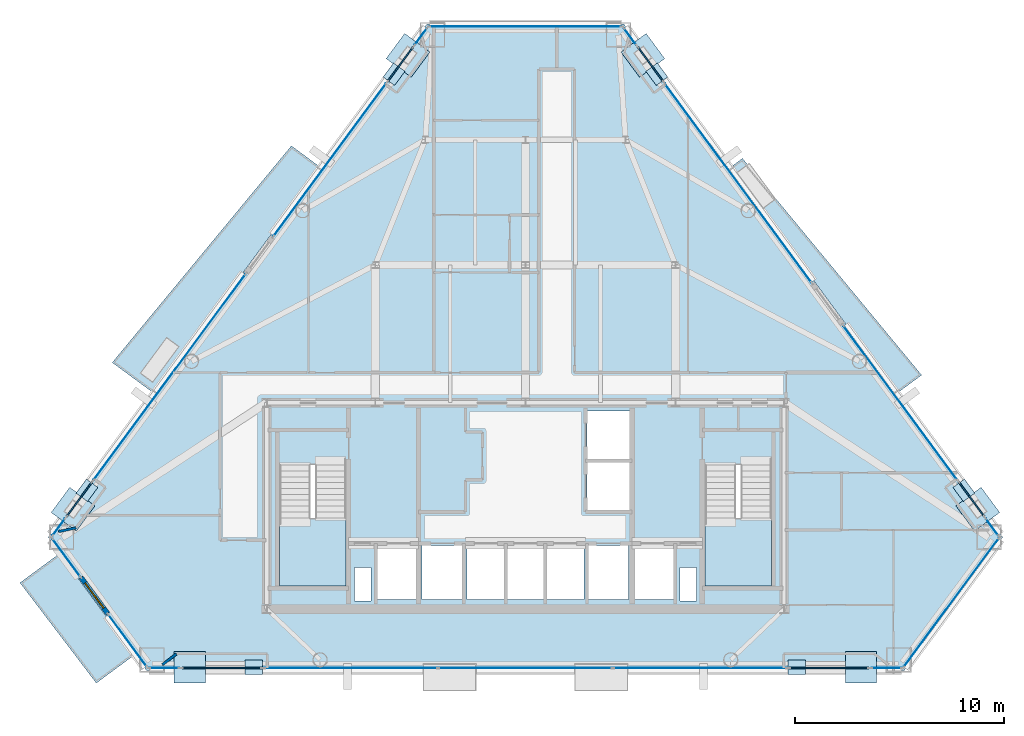
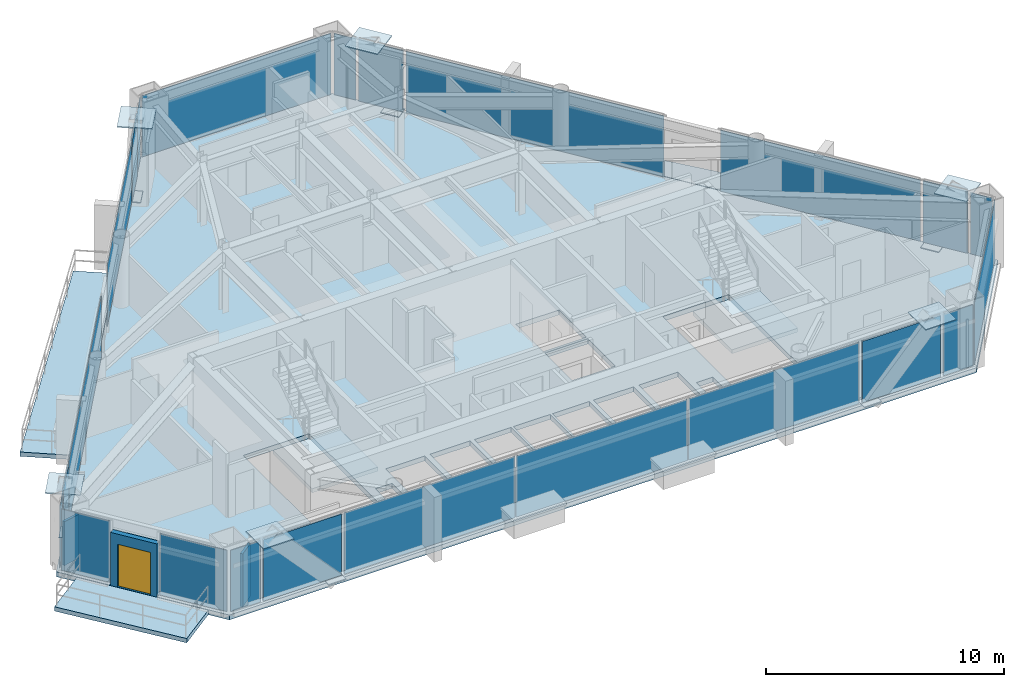
# One storey, part 7 of 12: 35 plates, 6 slabs, 3 walls, 1 door, 1 opening, 23 elements without a shape of their own.
"""IFC4 building model written with IfcOpenShell, lengths in metres."""

import ifcopenshell
import ifcopenshell.guid

model = None  # the IFC model being written
_history = None  # IfcOwnerHistory: only IFC2X3 demands one
_inside = {}  # id of a spatial element -> (the spatial element, [elements in it])
_under = {}  # id of a project, library or spatial element -> (it, [spatial elements below it])
_declared = {}  # id of a project -> (the project, [libraries it declares])
_typed = {}  # id of a type object -> (the type object, [elements of that type])
_made_of = {}  # id of a material, layer set ... -> (it, [elements and type objects made of it])


def new_model(schema):
    """Start an empty IFC model of exactly this schema.

    Asked for "IFC4X3", IfcOpenShell would pick the latest addendum, in which some entities
    have other attributes; the version numbers below select the first issue.
    IFC2X3 requires an IfcOwnerHistory on every rooted entity: one is made here for all.
    """
    global model, _history
    if schema == "IFC4X3":
        model = ifcopenshell.file(schema_version=(4, 3, 0, 0))
    else:
        model = ifcopenshell.file(schema=schema)
    _inside.clear()
    _under.clear()
    _declared.clear()
    _typed.clear()
    _made_of.clear()
    _history = None
    if model.schema == "IFC2X3":
        org = make("IfcOrganization", Name="unknown")
        user = make(
            "IfcPersonAndOrganization",
            ThePerson=make("IfcPerson", FamilyName="unknown"),
            TheOrganization=org,
        )
        app = make(
            "IfcApplication",
            ApplicationDeveloper=org,
            Version="unknown",
            ApplicationFullName="unknown",
            ApplicationIdentifier="unknown",
        )
        _history = make(
            "IfcOwnerHistory",
            OwningUser=user,
            OwningApplication=app,
            ChangeAction="ADDED",
            CreationDate=0,
        )
    return model


def make(cls, **values):
    """One entity of the class cls with the attributes given. An attribute that is None is left unset."""
    return model.create_entity(
        cls, **{name: value for name, value in values.items() if value is not None}
    )


def rooted(cls, **values):
    """An entity with a GlobalId (a new one), such as an element, a storey or a relation."""
    return make(cls, GlobalId=ifcopenshell.guid.new(), OwnerHistory=_history, **values)


def si_unit(unit_type, name, prefix=None):
    """IfcSIUnit, for example si_unit("LENGTHUNIT", "METRE", prefix="MILLI")."""
    return make("IfcSIUnit", UnitType=unit_type, Prefix=prefix, Name=name)


def assignment(units):
    """IfcUnitAssignment: the units of a project."""
    return None if units is None else make("IfcUnitAssignment", Units=units)


def point(xyz):
    """IfcCartesianPoint."""
    return None if xyz is None else make("IfcCartesianPoint", Coordinates=xyz)


def direction(xyz):
    """IfcDirection."""
    return None if xyz is None else make("IfcDirection", DirectionRatios=xyz)


def frame(location, z_axis=None, x_axis=None):
    """IfcAxis2Placement3D, a coordinate frame: its origin and axes. An axis left out is left unset."""
    return make(
        "IfcAxis2Placement3D",
        Location=point(location),
        Axis=direction(z_axis),
        RefDirection=direction(x_axis),
    )


def frame_2d(location, x_axis=None):
    """IfcAxis2Placement2D, a coordinate frame in the plane: its origin and x axis."""
    return make(
        "IfcAxis2Placement2D", Location=point(location), RefDirection=direction(x_axis)
    )


def origin():
    """The frame at (0, 0, 0) with its axes left unset."""
    return frame((0.0, 0.0, 0.0))


def origin_2d():
    """The frame at (0, 0) in the plane with its x axis left unset."""
    return frame_2d((0.0, 0.0))


def place(relative_to, where):
    """IfcLocalPlacement: puts the frame where relative to a parent placement (None: the world)."""
    return make(
        "IfcLocalPlacement", PlacementRelTo=relative_to, RelativePlacement=where
    )


def context(
    kind, dimensions, precision=None, world=None, true_north=None, identifier=None
):
    """IfcGeometricRepresentationContext, for example the 3D "Model" context."""
    return make(
        "IfcGeometricRepresentationContext",
        ContextIdentifier=identifier,
        ContextType=kind,
        CoordinateSpaceDimension=dimensions,
        Precision=precision,
        WorldCoordinateSystem=world,
        TrueNorth=true_north,
    )


def subcontext(parent, identifier, kind, view, scale=None):
    """IfcGeometricRepresentationSubContext, for example "Body" below "Model"."""
    return make(
        "IfcGeometricRepresentationSubContext",
        ContextIdentifier=identifier,
        ContextType=kind,
        ParentContext=parent,
        TargetScale=scale,
        TargetView=view,
    )


def project(units=None, contexts=None):
    """IfcProject with its units and contexts."""
    return rooted(
        "IfcProject",
        Name="project",
        RepresentationContexts=contexts,
        UnitsInContext=assignment(units),
    )


def spatial(cls, under=None, at=None, **own):
    """A site, building, storey or space (cls), placed at a placement, below another one or the project."""
    s = rooted(cls, ObjectPlacement=at, **own)
    if under is not None:
        _under.setdefault(under.id(), (under, []))[1].append(s)
    return s


def polyline(points):
    """IfcPolyline through the points."""
    return make("IfcPolyline", Points=[point(p) for p in points])


def profile(cls, at=None, kind="AREA", **sizes):
    """A parametric profile (cls). Its sizes go by their IFC names, for example OverallWidth=200.0."""
    return make(cls, ProfileType=kind, Position=at, **sizes)


def rectangle(**sizes):
    """IfcRectangleProfileDef."""
    return profile("IfcRectangleProfileDef", **sizes)


def outline(outer, holes=None, kind="AREA"):
    """IfcArbitraryClosedProfileDef: a profile drawn as a closed curve; with holes, ...WithVoids."""
    if holes is None:
        return make("IfcArbitraryClosedProfileDef", ProfileType=kind, OuterCurve=outer)
    return make(
        "IfcArbitraryProfileDefWithVoids",
        ProfileType=kind,
        OuterCurve=outer,
        InnerCurves=holes,
    )


def extrude(swept, where, along, depth):
    """IfcExtrudedAreaSolid: the profile swept, set in the frame where, extruded along a direction by depth."""
    return make(
        "IfcExtrudedAreaSolid",
        SweptArea=swept,
        Position=where,
        ExtrudedDirection=direction(along),
        Depth=depth,
    )


def shape(context_of_items, identifier, shape_type, items):
    """IfcShapeRepresentation: the items that make up one representation, for example the "Body"."""
    return make(
        "IfcShapeRepresentation",
        ContextOfItems=context_of_items,
        RepresentationIdentifier=identifier,
        RepresentationType=shape_type,
        Items=items,
    )


def source(mapping_origin, context_of_items, identifier, shape_type, items):
    """IfcRepresentationMap: a shape defined once, which mapped items show again and again."""
    return make(
        "IfcRepresentationMap",
        MappingOrigin=mapping_origin,
        MappedRepresentation=shape(context_of_items, identifier, shape_type, items),
    )


def transform(
    local_origin,
    x_axis=None,
    y_axis=None,
    z_axis=None,
    scale=None,
    scale2=None,
    scale3=None,
    uniform=True,
):
    """IfcCartesianTransformationOperator3D, or its non-uniform kind. x_axis, y_axis, z_axis: its Axis1, 2, 3."""
    if uniform:
        return make(
            "IfcCartesianTransformationOperator3D",
            Axis1=direction(x_axis),
            Axis2=direction(y_axis),
            LocalOrigin=point(local_origin),
            Scale=scale,
            Axis3=direction(z_axis),
        )
    return make(
        "IfcCartesianTransformationOperator3DnonUniform",
        Axis1=direction(x_axis),
        Axis2=direction(y_axis),
        LocalOrigin=point(local_origin),
        Scale=scale,
        Axis3=direction(z_axis),
        Scale2=scale2,
        Scale3=scale3,
    )


def mapped(mapping_source, mapping_target):
    """IfcMappedItem: shows the shape of a source again, moved by a transform."""
    return make(
        "IfcMappedItem", MappingSource=mapping_source, MappingTarget=mapping_target
    )


def material(Name=None, Category=None):
    """IfcMaterial."""
    return make("IfcMaterial", Name=Name, Category=Category)


def layer(
    of_material, thickness, ventilated=None, Name=None, Category=None, Priority=None
):
    """IfcMaterialLayer: one layer of a wall or slab, of a material (None: an air gap)."""
    return make(
        "IfcMaterialLayer",
        Material=of_material,
        LayerThickness=thickness,
        IsVentilated=ventilated,
        Name=Name,
        Category=Category,
        Priority=Priority,
    )


def layer_set(layers, Name=None):
    """IfcMaterialLayerSet."""
    return make("IfcMaterialLayerSet", MaterialLayers=layers, LayerSetName=Name)


def made_of(thing, what):
    """Note that an element or type object is made of a material, layer set ...; save() writes the relation."""
    if what is not None:
        _made_of.setdefault(what.id(), (what, []))[1].append(thing)
    return thing


def type_object(cls, material=None, **own):
    """A type object (cls), such as IfcWallType, which elements share."""
    return made_of(rooted(cls, **own), material)


def type_shapes(of_type, sources):
    """Give a type object the sources (RepresentationMaps) that its elements show as mapped items."""
    of_type.RepresentationMaps = sources


def element(
    cls,
    number,
    at=None,
    inside=None,
    cuts=None,
    type_object=None,
    material=None,
    context=None,
    identifier="Body",
    shape_type=None,
    held_by="IfcProductDefinitionShape",
    body=None,
    shapes=None,
    **own,
):
    """One element of the class cls, such as IfcWall. Its Tag is "e" and its number.

    at: its placement. inside: the storey or other place that contains it. cuts: it is an
    opening in that element (IfcRelVoidsElement). A single representation is given by context,
    identifier, shape_type and body (its items); several are given by shapes. held_by: the class
    of the entity that holds the representations. save() writes the other relations.
    """
    e = rooted(cls, Tag="e%d" % number, ObjectPlacement=at, **own)
    if body is not None:
        shapes = [shape(context, identifier, shape_type, body)]
    if shapes is not None:
        e.Representation = make(held_by, Representations=shapes)
    if inside is not None:
        _inside.setdefault(inside.id(), (inside, []))[1].append(e)
    if cuts is not None:
        rooted(
            "IfcRelVoidsElement", RelatingBuildingElement=cuts, RelatedOpeningElement=e
        )
    if type_object is not None:
        _typed.setdefault(type_object.id(), (type_object, []))[1].append(e)
    return made_of(e, material)


def fill(opening, filler):
    """IfcRelFillsElement: the door or window that sits in an opening."""
    return rooted(
        "IfcRelFillsElement",
        RelatingOpeningElement=opening,
        RelatedBuildingElement=filler,
    )


def aggregate(whole, parts):
    """IfcRelAggregates: a whole, such as a stair, and the parts it consists of."""
    return rooted("IfcRelAggregates", RelatingObject=whole, RelatedObjects=parts)


def save(model, path):
    """Write the relations noted so far, then the file.

    IfcRelAggregates (storeys below a building ...), IfcRelContainedInSpatialStructure (elements
    in a storey), IfcRelDefinesByType, IfcRelAssociatesMaterial and IfcRelDeclares: one each for
    every whole, place, type object, material and project.
    """
    for whole, parts in _under.values():
        aggregate(whole, parts)
    for where, things in _inside.values():
        rooted(
            "IfcRelContainedInSpatialStructure",
            RelatedElements=things,
            RelatingStructure=where,
        )
    for kind, things in _typed.values():
        rooted("IfcRelDefinesByType", RelatedObjects=things, RelatingType=kind)
    for what, things in _made_of.values():
        rooted("IfcRelAssociatesMaterial", RelatedObjects=things, RelatingMaterial=what)
    for by, libraries in _declared.values():
        rooted("IfcRelDeclares", RelatingContext=by, RelatedDefinitions=libraries)
    model.write(path)


model = new_model("IFC4")

# Units and contexts
model_context = context("Model", 3, precision=1e-05, world=origin(), true_north=direction((0.0, 1.0)))
body_context = subcontext(model_context, "Body", "Model", "MODEL_VIEW")
ifc_project = project(units=[si_unit("LENGTHUNIT", "METRE"), si_unit("AREAUNIT", "SQUARE_METRE"), si_unit("VOLUMEUNIT", "CUBIC_METRE"), si_unit("PLANEANGLEUNIT", "RADIAN"), si_unit("MASSUNIT", "GRAM", prefix="KILO")], contexts=[model_context])

# Site, building, storey
site_placement = place(None, origin())
site = spatial("IfcSite", under=ifc_project, at=site_placement, CompositionType="ELEMENT")
building_placement = place(site_placement, origin())
building = spatial("IfcBuilding", under=site, at=building_placement, Name="Talgorran Terracotta Tower", CompositionType="ELEMENT")
storey_placement = place(building_placement, frame((0.0, 0.0, 165.300048828125)))
storey = spatial("IfcBuildingStorey", under=building, at=storey_placement, Name="L43", CompositionType="ELEMENT", Elevation=165.300048828125)

# Plates
ifc_material_1 = material(Name="Steel Grade 350 (350L0)", Category="steel")
ifc_layer_1 = layer(ifc_material_1, 0.035888671875, Name="PL_CAP_MN06")
ifc_layer_set_1 = layer_set([ifc_layer_1], Name="Steel Grade 350 (350L0)")
plate_type_1 = type_object("IfcPlateType", Name="PL_CAP_MN06", PredefinedType="USERDEFINED", material=ifc_layer_set_1)
for number, where, z_axis, x_axis, name in (
    (1, (-13.017578125, -16.889892578125, -0.0078125), (0.0, 0.0, 1.0), (-1.0, 0.0, 0.0), "L43 Diagonal Frame End Cap SWF Bot"),
    (2, (13.017578125, -16.889892578125, -0.0078125), (0.0, 0.0, 1.0), (1.0, 0.0, 0.0), "L43 Diagonal Frame End Cap SEF Bot"),
    (3, (21.021484375, -8.4052734375, -0.0078125), (0.0, 0.0, 1.0), (0.593840246647, -0.804582973635, 0.0), "L43 Diagonal Frame End Cap NEL Bot"),
    (4, (6.298583984375, 11.54541015625, -0.0078125), (0.0, 0.0, 1.0), (-0.593840246647, 0.804582973635, 0.0), "L43 Diagonal Frame End Cap NEU Bot"),
    (5, (-6.298583984375, 11.54541015625, -0.0078125), (0.0, 0.0, 1.0), (0.593840246647, 0.804582973635, 0.0), "L43 Diagonal Frame End Cap NWU Bot"),
    (6, (-21.021484375, -8.4052734375, -0.0078125), (0.0, 0.0, 1.0), (-0.593840246647, -0.804582973635, 0.0), "L43 Diagonal Frame End Cap NWL Bot"),
):
    element("IfcPlate", number, at=place(storey_placement, frame(where, z_axis=z_axis, x_axis=x_axis)), inside=storey, type_object=plate_type_1, Name=name, ObjectType="CAP PLATE", PredefinedType="USERDEFINED", context=body_context, shape_type="SweptSolid", body=[
        extrude(rectangle(XDim=0.840087890625, YDim=0.679931640625, at=origin_2d()), origin(), (0.0, 0.0, 1.0), 0.035888671875),
    ])
ifc_layer_2 = layer(ifc_material_1, 0.054931640625, Name="PL_NODE_MN02")
ifc_layer_set_2 = layer_set([ifc_layer_2], Name="Steel Grade 350 (350L0)")
plate_type_2 = type_object("IfcPlateType", Name="PL_NODE_MN02", PredefinedType="USERDEFINED", material=ifc_layer_set_2)
for number, where, z_axis, x_axis, name in (
    (7, (-16.09130859375, -16.889892578125, 3.24267578125), (0.0, 0.0, 1.0), (-1.0, 0.0, 0.0), "L43 Diagonal Frame End Cap SWF Top"),
    (8, (16.09130859375, -16.889892578125, 3.24267578125), (0.0, 0.0, 1.0), (1.0, 0.0, 0.0), "L43 Diagonal Frame End Cap SEF Top"),
    (9, (21.689208984375, -9.309814453125, 3.24267578125), (0.0, 0.0, 1.0), (0.593840246647, -0.804582973635, 0.0), "L43 Diagonal Frame End Cap NEL Top"),
    (10, (5.631103515625, 12.449951171875, 3.24267578125), (0.0, 0.0, 1.0), (-0.593840246647, 0.804582973635, 0.0), "L43 Diagonal Frame End Cap NEU Top"),
    (11, (-5.631103515625, 12.449951171875, 3.24267578125), (0.0, 0.0, 1.0), (0.593840246647, 0.804582973635, 0.0), "L43 Diagonal Frame End Cap NWU Top"),
    (12, (-21.689208984375, -9.309814453125, 3.24267578125), (0.0, 0.0, 1.0), (-0.593840246647, -0.804582973635, 0.0), "L43 Diagonal Frame End Cap NWL Top"),
):
    element("IfcPlate", number, at=place(storey_placement, frame(where, z_axis=z_axis, x_axis=x_axis)), inside=storey, type_object=plate_type_2, Name=name, ObjectType="NODE PLATE", PredefinedType="USERDEFINED", context=body_context, shape_type="SweptSolid", body=[
        extrude(rectangle(XDim=1.5, YDim=1.5, at=origin_2d()), origin(), (0.0, 0.0, 1.0), 0.054931640625),
    ])

# Slabs
ifc_material_2 = material(Name="Concrete C40/50", Category="concrete")
ifc_layer_3 = layer(ifc_material_2, 0.219970703125, Name="SL_BALCONY_220")
ifc_layer_set_3 = layer_set([ifc_layer_3], Name="Concrete C40/50")
slab_type_1 = type_object("IfcSlabType", Name="SL_BALCONY_220", PredefinedType="FLOOR", material=ifc_layer_set_3)
slab_1_placement = place(storey_placement, frame((0.0, 0.0, -0.219970703125)))
element("IfcSlab", 13, at=slab_1_placement, inside=storey, type_object=slab_type_1, Name="L43 Outdoor Wave Balcony BAL-NE", PredefinedType="FLOOR", context=body_context, shape_type="SweptSolid", body=[
    extrude(outline(polyline([(9.816650390625, 7.072998046875), (17.8076171875, -3.755126953125), (18.99365234375, -2.879638671875), (10.406982421875, 7.508544921875), (9.816650390625, 7.072998046875)])), origin(), (0.0, 0.0, 1.0), 0.219970703125),
])
slab_2_placement = place(storey_placement, frame((0.0, 0.0, -0.219970703125)))
element("IfcSlab", 14, at=slab_2_placement, inside=storey, type_object=slab_type_1, Name="L43 Outdoor Wave Balcony BAL-NW", PredefinedType="FLOOR", context=body_context, shape_type="SweptSolid", body=[
    extrude(outline(polyline([(-17.8076171875, -3.755126953125), (-9.816650390625, 7.072998046875), (-11.22119140625, 8.109619140625), (-19.80810546875, -2.27880859375), (-17.8076171875, -3.755126953125)])), origin(), (0.0, 0.0, 1.0), 0.219970703125),
])
slab_3_placement = place(storey_placement, frame((0.0, 0.0, -0.219970703125)))
element("IfcSlab", 15, at=slab_3_placement, inside=storey, type_object=slab_type_1, Name="L43 Outdoor Wave Balcony BAL-SW", PredefinedType="FLOOR", context=body_context, shape_type="SweptSolid", body=[
    extrude(outline(polyline([(-18.7392578125, -16.29150390625), (-22.326171875, -11.430908203125), (-24.232666015625, -12.837890625), (-20.57470703125, -17.64599609375), (-18.7392578125, -16.29150390625)])), origin(), (0.0, 0.0, 1.0), 0.219970703125),
])

# Stair, slab
stair_type = type_object("IfcStairType", Name="ST_FIRE_SCISSOR", PredefinedType="HALF_TURN_STAIR", material=ifc_material_2)
stair_1_placement = place(storey_placement, origin())
stair_1 = element("IfcStair", 16, at=stair_1_placement, inside=storey, type_object=stair_type, Name="L43 West Protected Fire Stair ST-01", PredefinedType="HALF_TURN_STAIR")
ifc_layer_4 = layer(ifc_material_2, 0.199951171875, Name="SL_LANDING_200")
ifc_layer_set_4 = layer_set([ifc_layer_4], Name="Concrete C40/50")
slab_type_2 = type_object("IfcSlabType", Name="SL_LANDING_200", PredefinedType="LANDING", material=ifc_layer_set_4)
slab_4_placement = place(storey_placement, frame((0.0, 0.0, 1.599853515625)))
slab_4 = element("IfcSlab", 17, at=slab_4_placement, type_object=slab_type_2, Name="ST-01 landing 1", PredefinedType="LANDING", context=body_context, shape_type="SweptSolid", body=[
    extrude(outline(polyline([(-11.800048828125, -9.719970703125), (-11.800048828125, -13.0), (-8.60009765625, -13.0), (-8.60009765625, -9.719970703125), (-11.800048828125, -9.719970703125)])), origin(), (0.0, 0.0, 1.0), 0.2001953125),
])
aggregate(stair_1, [slab_4])

stair_2_placement = place(storey_placement, origin())
stair_2 = element("IfcStair", 18, at=stair_2_placement, inside=storey, type_object=stair_type, Name="L43 East Protected Fire Stair ST-02", PredefinedType="HALF_TURN_STAIR")
slab_5_placement = place(storey_placement, frame((0.0, 0.0, 1.599853515625)))
slab_5 = element("IfcSlab", 19, at=slab_5_placement, type_object=slab_type_2, Name="ST-02 landing 1", PredefinedType="LANDING", context=body_context, shape_type="SweptSolid", body=[
    extrude(outline(polyline([(8.60009765625, -9.719970703125), (8.60009765625, -13.0), (11.800048828125, -13.0), (11.800048828125, -9.719970703125), (8.60009765625, -9.719970703125)])), origin(), (0.0, 0.0, 1.0), 0.2001953125),
])
aggregate(stair_2, [slab_5])

# Slab
ifc_layer_5 = layer(ifc_material_2, 0.25, Name="SL_TOWER_250")
ifc_layer_set_5 = layer_set([ifc_layer_5], Name="Concrete C40/50")
slab_type_3 = type_object("IfcSlabType", Name="SL_TOWER_250", PredefinedType="FLOOR", material=ifc_layer_set_5)
slab_6_placement = place(storey_placement, frame((0.0, 0.0, -0.25)))
element("IfcSlab", 20, at=slab_6_placement, inside=storey, type_object=slab_type_3, Name="Storey L43 Structural Floor Slab", PredefinedType="FLOOR", context=body_context, shape_type="SweptSolid", body=[
    extrude(outline(polyline([(-22.88037109375, -10.654541015625), (-18.160888671875, -17.050048828125), (18.160888671875, -17.050048828125), (22.88037109375, -10.654541015625), (4.719482421875, 13.95458984375), (-4.719482421875, 13.95458984375), (-22.88037109375, -10.654541015625)]), holes=[polyline([(-11.800048828125, -7.199951171875), (-11.800048828125, -13.0), (-8.60009765625, -13.0), (-8.60009765625, -7.199951171875), (-11.800048828125, -7.199951171875)]), polyline([(8.60009765625, -7.199951171875), (8.60009765625, -13.0), (11.800048828125, -13.0), (11.800048828125, -7.199951171875), (8.60009765625, -7.199951171875)]), polyline([(-7.10009765625, -13.64990234375), (-5.199951171875, -13.64990234375), (-5.199951171875, -11.050048828125), (-7.10009765625, -11.050048828125), (-7.10009765625, -13.64990234375)]), polyline([(5.199951171875, -13.64990234375), (7.10009765625, -13.64990234375), (7.10009765625, -11.050048828125), (5.199951171875, -11.050048828125), (5.199951171875, -13.64990234375)]), polyline([(3.0, -13.64990234375), (4.949951171875, -13.64990234375), (4.949951171875, -11.050048828125), (3.0, -11.050048828125), (3.0, -13.64990234375)]), polyline([(-4.949951171875, -13.64990234375), (-3.0, -13.64990234375), (-3.0, -11.050048828125), (-4.949951171875, -11.050048828125), (-4.949951171875, -13.64990234375)]), polyline([(2.949951171875, -9.35009765625), (5.050048828125, -9.35009765625), (5.050048828125, -7.050048828125), (2.949951171875, -7.050048828125), (2.949951171875, -9.35009765625)]), polyline([(2.949951171875, -6.89990234375), (5.050048828125, -6.89990234375), (5.050048828125, -4.60009765625), (2.949951171875, -4.60009765625), (2.949951171875, -6.89990234375)]), polyline([(-2.800048828125, -13.64990234375), (-1.0, -13.64990234375), (-1.0, -11.050048828125), (-2.800048828125, -11.050048828125), (-2.800048828125, -13.64990234375)]), polyline([(-0.89990234375, -13.64990234375), (0.89990234375, -13.64990234375), (0.89990234375, -11.050048828125), (-0.89990234375, -11.050048828125), (-0.89990234375, -13.64990234375)]), polyline([(1.0, -13.64990234375), (2.800048828125, -13.64990234375), (2.800048828125, -11.050048828125), (1.0, -11.050048828125), (1.0, -13.64990234375)]), polyline([(-8.199951171875, -13.699951171875), (-7.39990234375, -13.699951171875), (-7.39990234375, -12.10009765625), (-8.199951171875, -12.10009765625), (-8.199951171875, -13.699951171875)]), polyline([(7.39990234375, -13.699951171875), (8.199951171875, -13.699951171875), (8.199951171875, -12.10009765625), (7.39990234375, -12.10009765625), (7.39990234375, -13.699951171875)])]), origin(), (0.0, 0.0, 1.0), 0.25),
])

# Curtain wall, plate
ifc_material_3 = material(Name="Unitised Low-E Double Glazing", Category="glass")
ifc_layer_6 = layer(ifc_material_3, 0.199951171875, Name="CW_SYS2_RES_LOW")
ifc_layer_set_6 = layer_set([ifc_layer_6], Name="Unitised Low-E Double Glazing")
curtain_wall_type = type_object("IfcCurtainWallType", Name="CW_SYS2_RES_LOW", PredefinedType="NOTDEFINED", material=ifc_layer_set_6)
curtain_wall_1_placement = place(storey_placement, origin())
curtain_wall_1 = element("IfcCurtainWall", 21, at=curtain_wall_1_placement, inside=storey, type_object=curtain_wall_type, Name="CW-L43-F10", PredefinedType="NOTDEFINED")
ifc_material_4 = material(Name="Low-E Laminated Vision Glass", Category="glass")
ifc_layer_7 = layer(ifc_material_4, 0.028076171875, Name="PLT_VISION_28")
ifc_layer_set_7 = layer_set([ifc_layer_7], Name="Low-E Laminated Vision Glass")
plate_type_3 = type_object("IfcPlateType", Name="PLT_VISION_28", PredefinedType="CURTAIN_PANEL", material=ifc_layer_set_7)
shared_shape_1 = source(origin(), body_context, "Body", "SweptSolid", [
    extrude(rectangle(XDim=2.224609375, YDim=0.028076171875, at=origin_2d()), origin(), (0.0, 0.0, 1.0), 3.14990234375),
])
plate_1_placement = place(storey_placement, frame((-22.008544921875, -11.634033203125, 0.06494140625), z_axis=(0.0, 0.0, 1.0), x_axis=(0.593791416997, -0.804619011148, 0.0)))
plate_1 = element("IfcPlate", 22, at=plate_1_placement, type_object=plate_type_3, Name="CW-L43-10 panel 1.1", PredefinedType="CURTAIN_PANEL", context=body_context, shape_type="MappedRepresentation", body=[
    mapped(shared_shape_1, transform((0.0, 0.0, 0.0), scale=1.0)),
])
aggregate(curtain_wall_1, [plate_1])

curtain_wall_2_placement = place(storey_placement, origin())
curtain_wall_2 = element("IfcCurtainWall", 23, at=curtain_wall_2_placement, inside=storey, type_object=curtain_wall_type, Name="CW-L43-F11", PredefinedType="NOTDEFINED")
shared_shape_2 = source(origin(), body_context, "Body", "SweptSolid", [
    extrude(rectangle(XDim=3.074462890625, YDim=0.028076171875, at=origin_2d()), origin(), (0.0, 0.0, 1.0), 3.14990234375),
])
plate_2_placement = place(storey_placement, frame((-19.075439453125, -15.608642578125, 0.06494140625), z_axis=(0.0, 0.0, 1.0), x_axis=(0.593775820957, -0.804630520455, 0.0)))
plate_2 = element("IfcPlate", 24, at=plate_2_placement, type_object=plate_type_3, Name="CW-L43-11 panel 1.1", PredefinedType="CURTAIN_PANEL", context=body_context, shape_type="MappedRepresentation", body=[
    mapped(shared_shape_2, transform((0.0, 0.0, 0.0), scale=1.0)),
])
aggregate(curtain_wall_2, [plate_2])

curtain_wall_3_placement = place(storey_placement, origin())
curtain_wall_3 = element("IfcCurtainWall", 25, at=curtain_wall_3_placement, inside=storey, type_object=curtain_wall_type, Name="CW-L43-F1", PredefinedType="NOTDEFINED")
shared_shape_3 = source(origin(), body_context, "Body", "SweptSolid", [
    extrude(rectangle(XDim=1.4375, YDim=0.028076171875, at=origin_2d()), origin(), (0.0, 0.0, 1.0), 3.14990234375),
])
plate_3_placement = place(storey_placement, frame((-17.31640625, -16.929931640625, 0.06494140625), z_axis=(0.0, 0.0, 1.0), x_axis=(1.0, 0.0, 0.0)))
plate_3 = element("IfcPlate", 26, at=plate_3_placement, type_object=plate_type_3, Name="CW-L43-1 panel 1.1", PredefinedType="CURTAIN_PANEL", context=body_context, shape_type="MappedRepresentation", body=[
    mapped(shared_shape_3, transform((0.0, 0.0, 0.0), scale=1.0)),
])
aggregate(curtain_wall_3, [plate_3])

curtain_wall_4_placement = place(storey_placement, origin())
curtain_wall_4 = element("IfcCurtainWall", 27, at=curtain_wall_4_placement, inside=storey, type_object=curtain_wall_type, Name="CW-L43-F1E", PredefinedType="NOTDEFINED")
plate_4_placement = place(storey_placement, frame((17.31640625, -16.929931640625, 0.06494140625), z_axis=(0.0, 0.0, 1.0), x_axis=(1.0, 0.0, 0.0)))
plate_4 = element("IfcPlate", 28, at=plate_4_placement, type_object=plate_type_3, Name="CW-L43-1E panel 1.1", PredefinedType="CURTAIN_PANEL", context=body_context, shape_type="MappedRepresentation", body=[
    mapped(shared_shape_3, transform((0.0, 0.0, 0.0), scale=1.0)),
])
aggregate(curtain_wall_4, [plate_4])

curtain_wall_5_placement = place(storey_placement, origin())
curtain_wall_5 = element("IfcCurtainWall", 29, at=curtain_wall_5_placement, inside=storey, type_object=curtain_wall_type, Name="CW-L43-F1B", PredefinedType="NOTDEFINED")
ifc_material_5 = material(Name="Terracotta Insulated Spandrel", Category="masonry")
ifc_layer_8 = layer(ifc_material_5, 0.06494140625, Name="PLT_SPANDREL_TERRA")
ifc_layer_set_8 = layer_set([ifc_layer_8], Name="Terracotta Insulated Spandrel")
plate_type_4 = type_object("IfcPlateType", Name="PLT_SPANDREL_TERRA", PredefinedType="SHEET", material=ifc_layer_set_8)
shared_shape_4 = source(origin(), body_context, "Body", "SweptSolid", [
    extrude(rectangle(XDim=3.806884765625, YDim=0.06494140625, at=origin_2d()), origin(), (0.0, 0.0, 1.0), 3.14990234375),
])
plate_5_placement = place(storey_placement, frame((-14.554443359375, -16.929931640625, 0.06494140625), z_axis=(0.0, 0.0, 1.0), x_axis=(1.0, 0.0, 0.0)))
plate_5 = element("IfcPlate", 30, at=plate_5_placement, type_object=plate_type_4, Name="CW-L43-1B panel 1.1", PredefinedType="CURTAIN_PANEL", context=body_context, shape_type="MappedRepresentation", body=[
    mapped(shared_shape_4, transform((0.0, 0.0, 0.0), scale=1.0)),
])
aggregate(curtain_wall_5, [plate_5])

curtain_wall_6_placement = place(storey_placement, origin())
curtain_wall_6 = element("IfcCurtainWall", 31, at=curtain_wall_6_placement, inside=storey, type_object=curtain_wall_type, Name="CW-L43-F1D", PredefinedType="NOTDEFINED")
plate_6_placement = place(storey_placement, frame((14.554443359375, -16.929931640625, 0.06494140625), z_axis=(0.0, 0.0, 1.0), x_axis=(1.0, 0.0, 0.0)))
plate_6 = element("IfcPlate", 32, at=plate_6_placement, type_object=plate_type_4, Name="CW-L43-1D panel 1.1", PredefinedType="CURTAIN_PANEL", context=body_context, shape_type="MappedRepresentation", body=[
    mapped(shared_shape_4, transform((0.0, 0.0, 0.0), scale=1.0)),
])
aggregate(curtain_wall_6, [plate_6])

# Curtain wall, plates
curtain_wall_7_placement = place(storey_placement, origin())
curtain_wall_7 = element("IfcCurtainWall", 33, at=curtain_wall_7_placement, inside=storey, type_object=curtain_wall_type, Name="CW-L43-F1C", PredefinedType="NOTDEFINED")
shared_shape_5 = source(origin(), body_context, "Body", "SweptSolid", [
    extrude(rectangle(XDim=8.28662109375, YDim=0.028076171875, at=origin_2d()), origin(), (0.0, 0.0, 1.0), 3.14990234375),
])
plate_7_placement = place(storey_placement, frame((-8.36767578125, -16.929931640625, 0.06494140625), z_axis=(0.0, 0.0, 1.0), x_axis=(1.0, 0.0, 0.0)))
plate_7 = element("IfcPlate", 34, at=plate_7_placement, type_object=plate_type_3, Name="CW-L43-1C panel 1.1", PredefinedType="CURTAIN_PANEL", context=body_context, shape_type="MappedRepresentation", body=[
    mapped(shared_shape_5, transform((0.0, 0.0, 0.0), scale=1.0)),
])
plate_8_placement = place(storey_placement, frame((8.36767578125, -16.929931640625, 0.06494140625), z_axis=(0.0, 0.0, 1.0), x_axis=(1.0, 0.0, 0.0)))
plate_8 = element("IfcPlate", 35, at=plate_8_placement, type_object=plate_type_3, Name="CW-L43-1C panel 3.1", PredefinedType="CURTAIN_PANEL", context=body_context, shape_type="MappedRepresentation", body=[
    mapped(shared_shape_5, transform((0.0, 0.0, 0.0), scale=1.0)),
])
shared_shape_6 = source(origin(), body_context, "Body", "SweptSolid", [
    extrude(rectangle(XDim=8.319091796875, YDim=0.028076171875, at=origin_2d()), origin(), (0.0, 0.0, 1.0), 3.14990234375),
])
plate_9_placement = place(storey_placement, frame((0.0, -16.929931640625, 0.06494140625), z_axis=(0.0, 0.0, 1.0), x_axis=(1.0, 0.0, 0.0)))
plate_9 = element("IfcPlate", 36, at=plate_9_placement, type_object=plate_type_3, Name="CW-L43-1C panel 2.1", PredefinedType="CURTAIN_PANEL", context=body_context, shape_type="MappedRepresentation", body=[
    mapped(shared_shape_6, transform((0.0, 0.0, 0.0), scale=1.0)),
])
aggregate(curtain_wall_7, [plate_7, plate_9, plate_8])

# Curtain wall, plate
curtain_wall_8_placement = place(storey_placement, origin())
curtain_wall_8 = element("IfcCurtainWall", 37, at=curtain_wall_8_placement, inside=storey, type_object=curtain_wall_type, Name="CW-L43-F2", PredefinedType="NOTDEFINED")
shared_shape_7 = source(origin(), body_context, "Body", "SweptSolid", [
    extrude(rectangle(XDim=7.669189453125, YDim=0.028076171875, at=origin_2d()), origin(), (0.0, 0.0, 1.0), 3.14990234375),
])
plate_10_placement = place(storey_placement, frame((20.415771484375, -13.792236328125, 0.06494140625), z_axis=(0.0, 0.0, 1.0), x_axis=(0.593790637498, 0.804619586401, 0.0)))
plate_10 = element("IfcPlate", 38, at=plate_10_placement, type_object=plate_type_3, Name="CW-L43-2 panel 1.1", PredefinedType="CURTAIN_PANEL", context=body_context, shape_type="MappedRepresentation", body=[
    mapped(shared_shape_7, transform((0.0, 0.0, 0.0), scale=1.0)),
])
aggregate(curtain_wall_8, [plate_10])

curtain_wall_9_placement = place(storey_placement, origin())
curtain_wall_9 = element("IfcCurtainWall", 39, at=curtain_wall_9_placement, inside=storey, type_object=curtain_wall_type, Name="CW-L43-F40", PredefinedType="NOTDEFINED")
shared_shape_8 = source(origin(), body_context, "Body", "SweptSolid", [
    extrude(rectangle(XDim=1.006103515625, YDim=0.028076171875, at=origin_2d()), origin(), (0.0, 0.0, 1.0), 3.14990234375),
])
plate_11_placement = place(storey_placement, frame((22.3701171875, -10.165283203125, 0.06494140625), z_axis=(0.0, 0.0, 1.0), x_axis=(-0.593814313912, 0.804602113217, 0.0)))
plate_11 = element("IfcPlate", 40, at=plate_11_placement, type_object=plate_type_3, Name="CW-L43-40 panel 1.1", PredefinedType="CURTAIN_PANEL", context=body_context, shape_type="MappedRepresentation", body=[
    mapped(shared_shape_8, transform((0.0, 0.0, 0.0), scale=1.0)),
])
aggregate(curtain_wall_9, [plate_11])

curtain_wall_10_placement = place(storey_placement, origin())
curtain_wall_10 = element("IfcCurtainWall", 41, at=curtain_wall_10_placement, inside=storey, type_object=curtain_wall_type, Name="CW-L43-F61C", PredefinedType="NOTDEFINED")
plate_12_placement = place(storey_placement, frame((-22.3701171875, -10.165283203125, 0.06494140625), z_axis=(0.0, 0.0, 1.0), x_axis=(-0.593814313912, -0.804602113217, 0.0)))
plate_12 = element("IfcPlate", 42, at=plate_12_placement, type_object=plate_type_3, Name="CW-L43-61C panel 1.1", PredefinedType="CURTAIN_PANEL", context=body_context, shape_type="MappedRepresentation", body=[
    mapped(shared_shape_8, transform((0.0, 0.0, 0.0), scale=1.0)),
])
aggregate(curtain_wall_10, [plate_12])

curtain_wall_11_placement = place(storey_placement, origin())
curtain_wall_11 = element("IfcCurtainWall", 43, at=curtain_wall_11_placement, inside=storey, type_object=curtain_wall_type, Name="CW-L43-F40B", PredefinedType="NOTDEFINED")
shared_shape_9 = source(origin(), body_context, "Body", "SweptSolid", [
    extrude(rectangle(XDim=2.023193359375, YDim=0.06494140625, at=origin_2d()), origin(), (0.0, 0.0, 1.0), 3.14990234375),
])
type_shapes(plate_type_4, [shared_shape_4, shared_shape_9])
plate_13_placement = place(storey_placement, frame((21.3876953125, -8.833740234375, 0.06494140625), z_axis=(0.0, 0.0, 1.0), x_axis=(-0.593785011781, 0.804623738019, 0.0)))
plate_13 = element("IfcPlate", 44, at=plate_13_placement, type_object=plate_type_4, Name="CW-L43-40B panel 1.1", PredefinedType="CURTAIN_PANEL", context=body_context, shape_type="MappedRepresentation", body=[
    mapped(shared_shape_9, transform((0.0, 0.0, 0.0), scale=1.0)),
])
aggregate(curtain_wall_11, [plate_13])

curtain_wall_12_placement = place(storey_placement, origin())
curtain_wall_12 = element("IfcCurtainWall", 45, at=curtain_wall_12_placement, inside=storey, type_object=curtain_wall_type, Name="CW-L43-F41B", PredefinedType="NOTDEFINED")
plate_14_placement = place(storey_placement, frame((5.9970703125, 12.021484375, 0.06494140625), z_axis=(0.0, 0.0, 1.0), x_axis=(-0.593785011781, 0.804623738019, 0.0)))
plate_14 = element("IfcPlate", 46, at=plate_14_placement, type_object=plate_type_4, Name="CW-L43-41B panel 1.1", PredefinedType="CURTAIN_PANEL", context=body_context, shape_type="MappedRepresentation", body=[
    mapped(shared_shape_9, transform((0.0, 0.0, 0.0), scale=1.0)),
])
aggregate(curtain_wall_12, [plate_14])

curtain_wall_13_placement = place(storey_placement, origin())
curtain_wall_13 = element("IfcCurtainWall", 47, at=curtain_wall_13_placement, inside=storey, type_object=curtain_wall_type, Name="CW-L43-F60B", PredefinedType="NOTDEFINED")
plate_15_placement = place(storey_placement, frame((-5.9970703125, 12.021484375, 0.06494140625), z_axis=(0.0, 0.0, 1.0), x_axis=(-0.593785011781, -0.804623738019, 0.0)))
plate_15 = element("IfcPlate", 48, at=plate_15_placement, type_object=plate_type_4, Name="CW-L43-60B panel 1.1", PredefinedType="CURTAIN_PANEL", context=body_context, shape_type="MappedRepresentation", body=[
    mapped(shared_shape_9, transform((0.0, 0.0, 0.0), scale=1.0)),
])
aggregate(curtain_wall_13, [plate_15])

curtain_wall_14_placement = place(storey_placement, origin())
curtain_wall_14 = element("IfcCurtainWall", 49, at=curtain_wall_14_placement, inside=storey, type_object=curtain_wall_type, Name="CW-L43-F61B", PredefinedType="NOTDEFINED")
plate_16_placement = place(storey_placement, frame((-21.3876953125, -8.833740234375, 0.06494140625), z_axis=(0.0, 0.0, 1.0), x_axis=(-0.593785011781, -0.804623738019, 0.0)))
plate_16 = element("IfcPlate", 50, at=plate_16_placement, type_object=plate_type_4, Name="CW-L43-61B panel 1.1", PredefinedType="CURTAIN_PANEL", context=body_context, shape_type="MappedRepresentation", body=[
    mapped(shared_shape_9, transform((0.0, 0.0, 0.0), scale=1.0)),
])
aggregate(curtain_wall_14, [plate_16])

curtain_wall_15_placement = place(storey_placement, origin())
curtain_wall_15 = element("IfcCurtainWall", 51, at=curtain_wall_15_placement, inside=storey, type_object=curtain_wall_type, Name="CW-L43-F40C", PredefinedType="NOTDEFINED")
shared_shape_10 = source(origin(), body_context, "Body", "SweptSolid", [
    extrude(rectangle(XDim=9.179443359375, YDim=0.028076171875, at=origin_2d()), origin(), (0.0, 0.0, 1.0), 3.14990234375),
])
plate_17_placement = place(storey_placement, frame((17.978515625, -4.214111328125, 0.06494140625), z_axis=(0.0, 0.0, 1.0), x_axis=(-0.593791368899, 0.804619046643, 0.0)))
plate_17 = element("IfcPlate", 52, at=plate_17_placement, type_object=plate_type_3, Name="CW-L43-40C panel 1.1", PredefinedType="CURTAIN_PANEL", context=body_context, shape_type="MappedRepresentation", body=[
    mapped(shared_shape_10, transform((0.0, 0.0, 0.0), scale=1.0)),
])
aggregate(curtain_wall_15, [plate_17])

curtain_wall_16_placement = place(storey_placement, origin())
curtain_wall_16 = element("IfcCurtainWall", 53, at=curtain_wall_16_placement, inside=storey, type_object=curtain_wall_type, Name="CW-L43-F41", PredefinedType="NOTDEFINED")
shared_shape_11 = source(origin(), body_context, "Body", "SweptSolid", [
    extrude(rectangle(XDim=11.846435546875, YDim=0.028076171875, at=origin_2d()), origin(), (0.0, 0.0, 1.0), 3.14990234375),
])
plate_18_placement = place(storey_placement, frame((10.197998046875, 6.328857421875, 0.06494140625), z_axis=(0.0, 0.0, 1.0), x_axis=(-0.593784473262, 0.804624135428, 0.0)))
plate_18 = element("IfcPlate", 54, at=plate_18_placement, type_object=plate_type_3, Name="CW-L43-41 panel 1.1", PredefinedType="CURTAIN_PANEL", context=body_context, shape_type="MappedRepresentation", body=[
    mapped(shared_shape_11, transform((0.0, 0.0, 0.0), scale=1.0)),
])
aggregate(curtain_wall_16, [plate_18])

curtain_wall_17_placement = place(storey_placement, origin())
curtain_wall_17 = element("IfcCurtainWall", 55, at=curtain_wall_17_placement, inside=storey, type_object=curtain_wall_type, Name="CW-L43-F41C", PredefinedType="NOTDEFINED")
shared_shape_12 = source(origin(), body_context, "Body", "SweptSolid", [
    extrude(rectangle(XDim=0.996826171875, YDim=0.028076171875, at=origin_2d()), origin(), (0.0, 0.0, 1.0), 3.14990234375),
])
plate_19_placement = place(storey_placement, frame((5.017333984375, 13.34912109375, 0.06494140625), z_axis=(0.0, 0.0, 1.0), x_axis=(-0.593777066526, 0.804629601287, 0.0)))
plate_19 = element("IfcPlate", 56, at=plate_19_placement, type_object=plate_type_3, Name="CW-L43-41C panel 1.1", PredefinedType="CURTAIN_PANEL", context=body_context, shape_type="MappedRepresentation", body=[
    mapped(shared_shape_12, transform((0.0, 0.0, 0.0), scale=1.0)),
])
aggregate(curtain_wall_17, [plate_19])

curtain_wall_18_placement = place(storey_placement, origin())
curtain_wall_18 = element("IfcCurtainWall", 57, at=curtain_wall_18_placement, inside=storey, type_object=curtain_wall_type, Name="CW-L43-F60", PredefinedType="NOTDEFINED")
plate_20_placement = place(storey_placement, frame((-5.017333984375, 13.34912109375, 0.06494140625), z_axis=(0.0, 0.0, 1.0), x_axis=(-0.593777066526, -0.804629601287, 0.0)))
plate_20 = element("IfcPlate", 58, at=plate_20_placement, type_object=plate_type_3, Name="CW-L43-60 panel 1.1", PredefinedType="CURTAIN_PANEL", context=body_context, shape_type="MappedRepresentation", body=[
    mapped(shared_shape_12, transform((0.0, 0.0, 0.0), scale=1.0)),
])
aggregate(curtain_wall_18, [plate_20])

curtain_wall_19_placement = place(storey_placement, origin())
curtain_wall_19 = element("IfcCurtainWall", 59, at=curtain_wall_19_placement, inside=storey, type_object=curtain_wall_type, Name="CW-L43-F4", PredefinedType="NOTDEFINED")
shared_shape_13 = source(origin(), body_context, "Body", "SweptSolid", [
    extrude(rectangle(XDim=9.18798828125, YDim=0.028076171875, at=origin_2d()), origin(), (0.0, 0.0, 1.0), 3.14990234375),
])
plate_21_placement = place(storey_placement, frame((0.0, 13.834716796875, 0.06494140625), z_axis=(0.0, 0.0, 1.0), x_axis=(-1.0, 0.0, 0.0)))
plate_21 = element("IfcPlate", 60, at=plate_21_placement, type_object=plate_type_3, Name="CW-L43-4 panel 1.1", PredefinedType="CURTAIN_PANEL", context=body_context, shape_type="MappedRepresentation", body=[
    mapped(shared_shape_13, transform((0.0, 0.0, 0.0), scale=1.0)),
])
aggregate(curtain_wall_19, [plate_21])

curtain_wall_20_placement = place(storey_placement, origin())
curtain_wall_20 = element("IfcCurtainWall", 61, at=curtain_wall_20_placement, inside=storey, type_object=curtain_wall_type, Name="CW-L43-F60C", PredefinedType="NOTDEFINED")
shared_shape_14 = source(origin(), body_context, "Body", "SweptSolid", [
    extrude(rectangle(XDim=9.076416015625, YDim=0.028076171875, at=origin_2d()), origin(), (0.0, 0.0, 1.0), 3.14990234375),
])
plate_22_placement = place(storey_placement, frame((-9.375732421875, 7.443115234375, 0.06494140625), z_axis=(0.0, 0.0, 1.0), x_axis=(-0.593784660305, -0.804623997397, 0.0)))
plate_22 = element("IfcPlate", 62, at=plate_22_placement, type_object=plate_type_3, Name="CW-L43-60C panel 1.1", PredefinedType="CURTAIN_PANEL", context=body_context, shape_type="MappedRepresentation", body=[
    mapped(shared_shape_14, transform((0.0, 0.0, 0.0), scale=1.0)),
])
aggregate(curtain_wall_20, [plate_22])

curtain_wall_21_placement = place(storey_placement, origin())
curtain_wall_21 = element("IfcCurtainWall", 63, at=curtain_wall_21_placement, inside=storey, type_object=curtain_wall_type, Name="CW-L43-F61", PredefinedType="NOTDEFINED")
shared_shape_15 = source(origin(), body_context, "Body", "SweptSolid", [
    extrude(rectangle(XDim=12.24951171875, YDim=0.028076171875, at=origin_2d()), origin(), (0.0, 0.0, 1.0), 3.14990234375),
])
type_shapes(plate_type_3, [shared_shape_1, shared_shape_2, shared_shape_3, shared_shape_5, shared_shape_6, shared_shape_7, shared_shape_8, shared_shape_10, shared_shape_11, shared_shape_12, shared_shape_13, shared_shape_14, shared_shape_15])
plate_23_placement = place(storey_placement, frame((-17.06689453125, -2.97900390625, 0.06494140625), z_axis=(0.0, 0.0, 1.0), x_axis=(-0.593788549418, -0.804621127351, 0.0)))
plate_23 = element("IfcPlate", 64, at=plate_23_placement, type_object=plate_type_3, Name="CW-L43-61 panel 1.1", PredefinedType="CURTAIN_PANEL", context=body_context, shape_type="MappedRepresentation", body=[
    mapped(shared_shape_15, transform((0.0, 0.0, 0.0), scale=1.0)),
])
aggregate(curtain_wall_21, [plate_23])

# Wall, opening, door
ifc_layer_9 = layer(ifc_material_2, 0.239990234375, Name="WT_BALCONY_SPAND")
ifc_layer_set_9 = layer_set([ifc_layer_9], Name="Concrete C40/50")
wall_type_1 = type_object("IfcWallType", Name="WT_BALCONY_SPAND", PredefinedType="STANDARD", material=ifc_layer_set_9)
wall_1_placement = place(storey_placement, frame((-21.303466796875, -12.58935546875, -0.01513671875), z_axis=(0.0, 0.0, 1.0), x_axis=(0.593794270714, -0.804616905158, 0.0)))
wall_1 = element("IfcWall", 65, at=wall_1_placement, inside=storey, type_object=wall_type_1, Name="WL-L43-BALP-BAL-SW", PredefinedType="STANDARD", context=body_context, shape_type="SweptSolid", body=[
    extrude(rectangle(XDim=2.14013671875, YDim=0.239990234375, at=frame_2d((1.070068359375, 0.0))), origin(), (0.0, 0.0, 1.0), 2.737060546875),
])
opening_placement = place(wall_1_placement, frame((0.320068359375, 0.0, 0.014892578125)))
opening = element("IfcOpeningElement", 66, at=opening_placement, cuts=wall_1, Name="Opening D-BAL-L43-3", PredefinedType="OPENING", context=body_context, shape_type="SweptSolid", body=[
    extrude(rectangle(XDim=1.506, YDim=2.203951171875, at=frame_2d((0.75, 1.10205078125))), frame((0.0, 0.1298828125, 0.0), z_axis=(0.0, -1.0, 0.0), x_axis=(1.0, 0.0, 0.0)), (0.0, 0.0, 1.0), 0.260009765625),
])
ifc_material_6 = material(Name="Thermally Broken Aluminium", Category="aluminium")
door_type = type_object("IfcDoorType", Name="DT_BALC_1500", OperationType="SLIDING_TO_RIGHT", PredefinedType="DOOR", material=ifc_material_6)
door_placement = place(opening_placement, origin())
door = element("IfcDoor", 67, at=door_placement, inside=storey, type_object=door_type, Name="DR-L43-BAL-BAL-SW", OperationType="SLIDING_TO_RIGHT", OverallHeight=2.199951171875, OverallWidth=1.5, PredefinedType="DOOR", context=body_context, shape_type="SweptSolid", body=[
    extrude(rectangle(XDim=1.5, YDim=2.199951171875, at=frame_2d((0.75, 1.10009765625))), frame((0.0, 0.02490234375, 0.0), z_axis=(0.0, -1.0, 0.0), x_axis=(1.0, 0.0, 0.0)), (0.0, 0.0, 1.0), 0.050048828125),
])
fill(opening, door)

# Walls
ifc_material_7 = material(Name="Insulated Steel Stud Plasterboard", Category="steel")
ifc_layer_10 = layer(ifc_material_7, 0.1201171875, Name="WT_PART_120")
ifc_layer_set_10 = layer_set([ifc_layer_10], Name="Insulated Steel Stud Plasterboard")
wall_type_2 = type_object("IfcWallType", Name="WT_PART_120", PredefinedType="PARTITIONING", material=ifc_layer_set_10)
wall_2_placement = place(storey_placement, frame((-17.409423828125, -16.767822265625, 0.0), z_axis=(0.0, 0.0, 1.0), x_axis=(0.794820504859, 0.606844597122, 0.0)))
element("IfcWall", 68, at=wall_2_placement, inside=storey, type_object=wall_type_2, Name="WL-L43-BW-L43-03", PredefinedType="PARTITIONING", context=body_context, shape_type="SweptSolid", body=[
    extrude(rectangle(XDim=0.853271484375, YDim=0.1201171875, at=frame_2d((0.4267578125, 0.0))), origin(), (0.0, 0.0, 1.0), 2.721923828125),
])
wall_3_placement = place(storey_placement, frame((-21.55419921875, -10.204833984375, 0.0), z_axis=(0.0, 0.0, 1.0), x_axis=(-0.97759630866, -0.210488615593, 0.0)))
element("IfcWall", 69, at=wall_3_placement, inside=storey, type_object=wall_type_2, Name="WL-L43-BW-L43-09", PredefinedType="PARTITIONING", context=body_context, shape_type="SweptSolid", body=[
    extrude(rectangle(XDim=0.851318359375, YDim=0.1201171875, at=frame_2d((0.42578125, 0.0))), origin(), (0.0, 0.0, 1.0), 2.2548828125),
])

save(model, "model.ifc")
